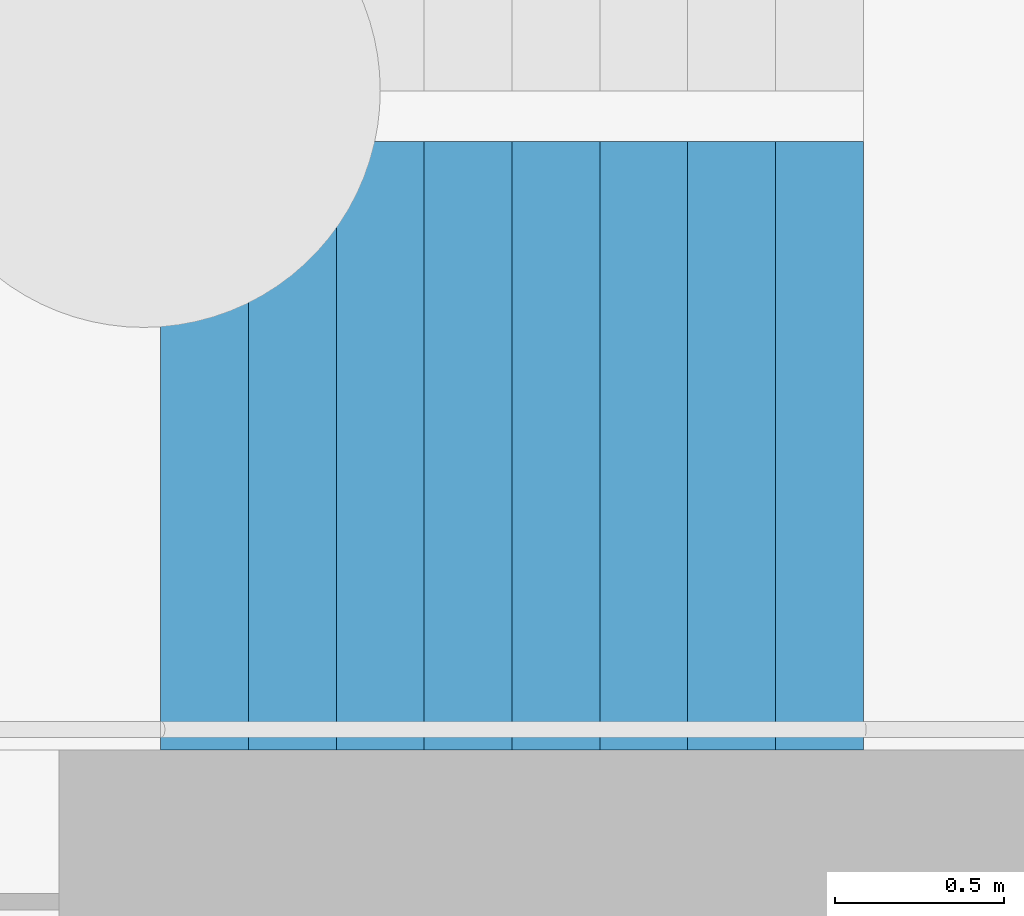
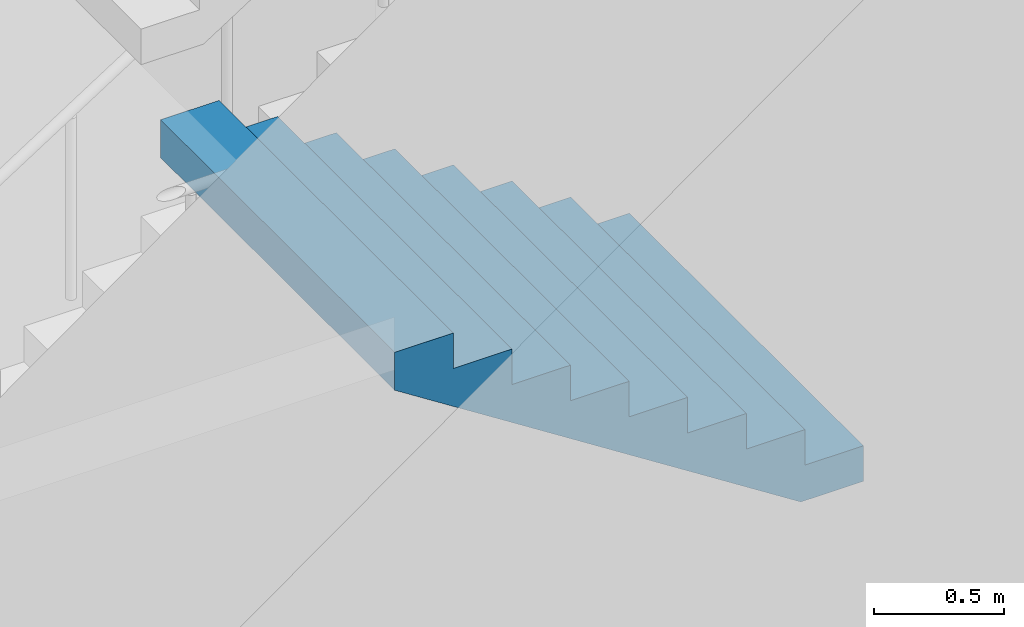
# One storey, part 69 of 113: 1 stair flight, 1 element without a shape of its own.
"""IFC4 building model written with IfcOpenShell, lengths in metres."""

from ifc_helpers import new_model, si_unit, direction, frame, origin, place, context, subcontext, project, spatial, triangles, material, type_object, element, aggregate, save


model = new_model("IFC4")

# Units and contexts
model_context = context("Model", 3, precision=1e-05, world=origin(), true_north=direction((0.0, 1.0)))
body_context = subcontext(model_context, "Body", "Model", "MODEL_VIEW")
ifc_project = project(units=[si_unit("LENGTHUNIT", "METRE"), si_unit("AREAUNIT", "SQUARE_METRE"), si_unit("VOLUMEUNIT", "CUBIC_METRE"), si_unit("PLANEANGLEUNIT", "RADIAN"), si_unit("MASSUNIT", "GRAM", prefix="KILO")], contexts=[model_context])

# Site, building, storey
site_placement = place(None, origin())
site = spatial("IfcSite", under=ifc_project, at=site_placement, CompositionType="ELEMENT")
building_placement = place(site_placement, origin())
building = spatial("IfcBuilding", under=site, at=building_placement, Name="Hakoniwa Tower and Hamabe Station Hall", CompositionType="ELEMENT")
storey_placement = place(building_placement, origin())
storey = spatial("IfcBuildingStorey", under=building, at=storey_placement, Name="L01", CompositionType="ELEMENT", Elevation=0.0)

# Stair, stair flight
ifc_material_1 = material(Name="Concrete C40", Category="concrete")
stair_type = type_object("IfcStairType", Name="ESCAPE STAIR 1800", PredefinedType="HALF_TURN_STAIR", material=ifc_material_1)
stair_placement = place(storey_placement, origin())
stair = element("IfcStair", 1, at=stair_placement, inside=storey, type_object=stair_type, Name="Escape stair ST-4 L01", PredefinedType="HALF_TURN_STAIR")
ifc_material_2 = material(Name="Concrete C40", Category="concrete")
stair_flight_type = type_object("IfcStairFlightType", Name="STAIR FLIGHT 1800", PredefinedType="STRAIGHT", material=ifc_material_2)
stair_flight_placement = place(storey_placement, frame((25.47998046875, -6.60009765625, 4.5), z_axis=(0.0, 0.0, 1.0), x_axis=(-1.0, 0.0, 0.0)))
stair_flight = element("IfcStairFlight", 2, at=stair_flight_placement, type_object=stair_flight_type, Name="ST-4 flight 4", NumberOfRisers=9, NumberOfTreads=8, PredefinedType="STRAIGHT", RiserHeight=0.166666667, TreadLength=0.26, context=body_context, shape_type="Tessellation", body=[
    triangles([(0.0, 0.89990234375, 0.0), (0.260009765625, 0.89990234375, 0.0), (0.27783203125, 0.89990234375, 0.0), (0.52001953125, 0.89990234375, 0.1552734375), (0.780029296875, 0.89990234375, 0.322021484375), (1.0400390625, 0.89990234375, 0.488525390625), (1.300048828125, 0.89990234375, 0.6552734375), (1.56005859375, 0.89990234375, 0.822021484375), (1.820068359375, 0.89990234375, 0.988525390625), (2.080078125, 0.89990234375, 1.1552734375), (2.080078125, 0.89990234375, 1.333251953125), (1.820068359375, 0.89990234375, 1.333251953125), (1.820068359375, 0.89990234375, 1.166748046875), (1.56005859375, 0.89990234375, 1.166748046875), (1.56005859375, 0.89990234375, 1.0), (1.300048828125, 0.89990234375, 1.0), (1.300048828125, 0.89990234375, 0.833251953125), (1.0400390625, 0.89990234375, 0.833251953125), (1.0400390625, 0.89990234375, 0.666748046875), (0.780029296875, 0.89990234375, 0.666748046875), (0.780029296875, 0.89990234375, 0.5), (0.52001953125, 0.89990234375, 0.5), (0.52001953125, 0.89990234375, 0.333251953125), (0.27783203125, 0.89990234375, 0.333251953125), (0.260009765625, 0.89990234375, 0.333251953125), (0.260009765625, 0.89990234375, 0.166748046875), (0.0, 0.89990234375, 0.166748046875), (0.0, 0.06005859375, 0.0), (0.260009765625, 0.06005859375, 0.0), (0.27783203125, 0.06005859375, 0.0), (0.52001953125, 0.06005859375, 0.1552734375), (0.780029296875, 0.06005859375, 0.322021484375), (1.0400390625, 0.06005859375, 0.488525390625), (1.300048828125, 0.06005859375, 0.6552734375), (1.56005859375, 0.06005859375, 0.822021484375), (1.820068359375, 0.06005859375, 0.988525390625), (2.080078125, 0.06005859375, 1.1552734375), (2.080078125, 0.06005859375, 1.333251953125), (1.820068359375, 0.06005859375, 1.333251953125), (1.820068359375, 0.06005859375, 1.166748046875), (1.56005859375, 0.06005859375, 1.166748046875), (1.56005859375, 0.06005859375, 1.0), (1.300048828125, 0.06005859375, 1.0), (1.300048828125, 0.06005859375, 0.833251953125), (1.0400390625, 0.06005859375, 0.833251953125), (1.0400390625, 0.06005859375, 0.666748046875), (0.780029296875, 0.06005859375, 0.666748046875), (0.780029296875, 0.06005859375, 0.5), (0.52001953125, 0.06005859375, 0.5), (0.52001953125, 0.06005859375, 0.333251953125), (0.27783203125, 0.06005859375, 0.333251953125), (0.260009765625, 0.06005859375, 0.333251953125), (0.260009765625, 0.06005859375, 0.166748046875), (0.0, 0.06005859375, 0.166748046875), (0.0, 0.04296875, 0.0), (0.260009765625, 0.04296875, 0.0), (0.27783203125, 0.04296875, 0.0), (0.52001953125, 0.04296875, 0.1552734375), (0.780029296875, 0.04296875, 0.322021484375), (1.0400390625, 0.04296875, 0.488525390625), (1.300048828125, 0.04296875, 0.6552734375), (1.56005859375, 0.04296875, 0.822021484375), (1.820068359375, 0.04296875, 0.988525390625), (2.080078125, 0.04296875, 1.1552734375), (2.080078125, 0.04296875, 1.333251953125), (1.820068359375, 0.04296875, 1.333251953125), (1.820068359375, 0.04296875, 1.166748046875), (1.56005859375, 0.04296875, 1.166748046875), (1.56005859375, 0.04296875, 1.0), (1.300048828125, 0.04296875, 1.0), (1.300048828125, 0.04296875, 0.833251953125), (1.0400390625, 0.04296875, 0.833251953125), (1.0400390625, 0.04296875, 0.666748046875), (0.780029296875, 0.04296875, 0.666748046875), (0.780029296875, 0.04296875, 0.5), (0.52001953125, 0.04296875, 0.5), (0.52001953125, 0.04296875, 0.333251953125), (0.27783203125, 0.04296875, 0.333251953125), (0.260009765625, 0.04296875, 0.333251953125), (0.260009765625, 0.04296875, 0.166748046875), (0.0, 0.04296875, 0.166748046875), (0.0, 0.025634765625, 0.0), (0.260009765625, 0.025634765625, 0.0), (0.27783203125, 0.025634765625, 0.0), (0.52001953125, 0.025634765625, 0.1552734375), (0.780029296875, 0.025634765625, 0.322021484375), (1.0400390625, 0.025634765625, 0.488525390625), (1.300048828125, 0.025634765625, 0.6552734375), (1.56005859375, 0.025634765625, 0.822021484375), (1.820068359375, 0.025634765625, 0.988525390625), (2.080078125, 0.025634765625, 1.1552734375), (2.080078125, 0.025634765625, 1.333251953125), (1.820068359375, 0.025634765625, 1.333251953125), (1.820068359375, 0.025634765625, 1.166748046875), (1.56005859375, 0.025634765625, 1.166748046875), (1.56005859375, 0.025634765625, 1.0), (1.300048828125, 0.025634765625, 1.0), (1.300048828125, 0.025634765625, 0.833251953125), (1.0400390625, 0.025634765625, 0.833251953125), (1.0400390625, 0.025634765625, 0.666748046875), (0.780029296875, 0.025634765625, 0.666748046875), (0.780029296875, 0.025634765625, 0.5), (0.52001953125, 0.025634765625, 0.5), (0.52001953125, 0.025634765625, 0.333251953125), (0.27783203125, 0.025634765625, 0.333251953125), (0.260009765625, 0.025634765625, 0.333251953125), (0.260009765625, 0.025634765625, 0.166748046875), (0.0, 0.025634765625, 0.166748046875), (0.0, 0.008544921875, 0.0), (0.260009765625, 0.008544921875, 0.0), (0.27783203125, 0.008544921875, 0.0), (0.52001953125, 0.008544921875, 0.1552734375), (0.780029296875, 0.008544921875, 0.322021484375), (1.0400390625, 0.008544921875, 0.488525390625), (1.300048828125, 0.008544921875, 0.6552734375), (1.56005859375, 0.008544921875, 0.822021484375), (1.820068359375, 0.008544921875, 0.988525390625), (2.080078125, 0.008544921875, 1.1552734375), (2.080078125, 0.008544921875, 1.333251953125), (1.820068359375, 0.008544921875, 1.333251953125), (1.820068359375, 0.008544921875, 1.166748046875), (1.56005859375, 0.008544921875, 1.166748046875), (1.56005859375, 0.008544921875, 1.0), (1.300048828125, 0.008544921875, 1.0), (1.300048828125, 0.008544921875, 0.833251953125), (1.0400390625, 0.008544921875, 0.833251953125), (1.0400390625, 0.008544921875, 0.666748046875), (0.780029296875, 0.008544921875, 0.666748046875), (0.780029296875, 0.008544921875, 0.5), (0.52001953125, 0.008544921875, 0.5), (0.52001953125, 0.008544921875, 0.333251953125), (0.27783203125, 0.008544921875, 0.333251953125), (0.260009765625, 0.008544921875, 0.333251953125), (0.260009765625, 0.008544921875, 0.166748046875), (0.0, 0.008544921875, 0.166748046875), (0.0, -0.008544921875, 0.0), (0.260009765625, -0.008544921875, 0.0), (0.27783203125, -0.008544921875, 0.0), (0.52001953125, -0.008544921875, 0.1552734375), (0.780029296875, -0.008544921875, 0.322021484375), (1.0400390625, -0.008544921875, 0.488525390625), (1.300048828125, -0.008544921875, 0.6552734375), (1.56005859375, -0.008544921875, 0.822021484375), (1.820068359375, -0.008544921875, 0.988525390625), (2.080078125, -0.008544921875, 1.1552734375), (2.080078125, -0.008544921875, 1.333251953125), (1.820068359375, -0.008544921875, 1.333251953125), (1.820068359375, -0.008544921875, 1.166748046875), (1.56005859375, -0.008544921875, 1.166748046875), (1.56005859375, -0.008544921875, 1.0), (1.300048828125, -0.008544921875, 1.0), (1.300048828125, -0.008544921875, 0.833251953125), (1.0400390625, -0.008544921875, 0.833251953125), (1.0400390625, -0.008544921875, 0.666748046875), (0.780029296875, -0.008544921875, 0.666748046875), (0.780029296875, -0.008544921875, 0.5), (0.52001953125, -0.008544921875, 0.5), (0.52001953125, -0.008544921875, 0.333251953125), (0.27783203125, -0.008544921875, 0.333251953125), (0.260009765625, -0.008544921875, 0.333251953125), (0.260009765625, -0.008544921875, 0.166748046875), (0.0, -0.008544921875, 0.166748046875), (0.0, -0.025634765625, 0.0), (0.260009765625, -0.025634765625, 0.0), (0.27783203125, -0.025634765625, 0.0), (0.52001953125, -0.025634765625, 0.1552734375), (0.780029296875, -0.025634765625, 0.322021484375), (1.0400390625, -0.025634765625, 0.488525390625), (1.300048828125, -0.025634765625, 0.6552734375), (1.56005859375, -0.025634765625, 0.822021484375), (1.820068359375, -0.025634765625, 0.988525390625), (2.080078125, -0.025634765625, 1.1552734375), (2.080078125, -0.025634765625, 1.333251953125), (1.820068359375, -0.025634765625, 1.333251953125), (1.820068359375, -0.025634765625, 1.166748046875), (1.56005859375, -0.025634765625, 1.166748046875), (1.56005859375, -0.025634765625, 1.0), (1.300048828125, -0.025634765625, 1.0), (1.300048828125, -0.025634765625, 0.833251953125), (1.0400390625, -0.025634765625, 0.833251953125), (1.0400390625, -0.025634765625, 0.666748046875), (0.780029296875, -0.025634765625, 0.666748046875), (0.780029296875, -0.025634765625, 0.5), (0.52001953125, -0.025634765625, 0.5), (0.52001953125, -0.025634765625, 0.333251953125), (0.27783203125, -0.025634765625, 0.333251953125), (0.260009765625, -0.025634765625, 0.333251953125), (0.260009765625, -0.025634765625, 0.166748046875), (0.0, -0.025634765625, 0.166748046875), (0.0, -0.04296875, 0.0), (0.260009765625, -0.04296875, 0.0), (0.27783203125, -0.04296875, 0.0), (0.52001953125, -0.04296875, 0.1552734375), (0.780029296875, -0.04296875, 0.322021484375), (1.0400390625, -0.04296875, 0.488525390625), (1.300048828125, -0.04296875, 0.6552734375), (1.56005859375, -0.04296875, 0.822021484375), (1.820068359375, -0.04296875, 0.988525390625), (2.080078125, -0.04296875, 1.1552734375), (2.080078125, -0.04296875, 1.333251953125), (1.820068359375, -0.04296875, 1.333251953125), (1.820068359375, -0.04296875, 1.166748046875), (1.56005859375, -0.04296875, 1.166748046875), (1.56005859375, -0.04296875, 1.0), (1.300048828125, -0.04296875, 1.0), (1.300048828125, -0.04296875, 0.833251953125), (1.0400390625, -0.04296875, 0.833251953125), (1.0400390625, -0.04296875, 0.666748046875), (0.780029296875, -0.04296875, 0.666748046875), (0.780029296875, -0.04296875, 0.5), (0.52001953125, -0.04296875, 0.5), (0.52001953125, -0.04296875, 0.333251953125), (0.27783203125, -0.04296875, 0.333251953125), (0.260009765625, -0.04296875, 0.333251953125), (0.260009765625, -0.04296875, 0.166748046875), (0.0, -0.04296875, 0.166748046875), (0.0, -0.06005859375, 0.0), (0.260009765625, -0.06005859375, 0.0), (0.27783203125, -0.06005859375, 0.0), (0.52001953125, -0.06005859375, 0.1552734375), (0.780029296875, -0.06005859375, 0.322021484375), (1.0400390625, -0.06005859375, 0.488525390625), (1.300048828125, -0.06005859375, 0.6552734375), (1.56005859375, -0.06005859375, 0.822021484375), (1.820068359375, -0.06005859375, 0.988525390625), (2.080078125, -0.06005859375, 1.1552734375), (2.080078125, -0.06005859375, 1.333251953125), (1.820068359375, -0.06005859375, 1.333251953125), (1.820068359375, -0.06005859375, 1.166748046875), (1.56005859375, -0.06005859375, 1.166748046875), (1.56005859375, -0.06005859375, 1.0), (1.300048828125, -0.06005859375, 1.0), (1.300048828125, -0.06005859375, 0.833251953125), (1.0400390625, -0.06005859375, 0.833251953125), (1.0400390625, -0.06005859375, 0.666748046875), (0.780029296875, -0.06005859375, 0.666748046875), (0.780029296875, -0.06005859375, 0.5), (0.52001953125, -0.06005859375, 0.5), (0.52001953125, -0.06005859375, 0.333251953125), (0.27783203125, -0.06005859375, 0.333251953125), (0.260009765625, -0.06005859375, 0.333251953125), (0.260009765625, -0.06005859375, 0.166748046875), (0.0, -0.06005859375, 0.166748046875), (0.0, -0.89990234375, 0.0), (0.260009765625, -0.89990234375, 0.0), (0.27783203125, -0.89990234375, 0.0), (0.52001953125, -0.89990234375, 0.1552734375), (0.780029296875, -0.89990234375, 0.322021484375), (1.0400390625, -0.89990234375, 0.488525390625), (1.300048828125, -0.89990234375, 0.6552734375), (1.56005859375, -0.89990234375, 0.822021484375), (1.820068359375, -0.89990234375, 0.988525390625), (2.080078125, -0.89990234375, 1.1552734375), (2.080078125, -0.89990234375, 1.333251953125), (1.820068359375, -0.89990234375, 1.333251953125), (1.820068359375, -0.89990234375, 1.166748046875), (1.56005859375, -0.89990234375, 1.166748046875), (1.56005859375, -0.89990234375, 1.0), (1.300048828125, -0.89990234375, 1.0), (1.300048828125, -0.89990234375, 0.833251953125), (1.0400390625, -0.89990234375, 0.833251953125), (1.0400390625, -0.89990234375, 0.666748046875), (0.780029296875, -0.89990234375, 0.666748046875), (0.780029296875, -0.89990234375, 0.5), (0.52001953125, -0.89990234375, 0.5), (0.52001953125, -0.89990234375, 0.333251953125), (0.27783203125, -0.89990234375, 0.333251953125), (0.260009765625, -0.89990234375, 0.333251953125), (0.260009765625, -0.89990234375, 0.166748046875), (0.0, -0.89990234375, 0.166748046875)], [[2, 27, 26], [245, 269, 270], [2, 1, 27], [245, 270, 244], [3, 25, 24], [246, 267, 268], [3, 26, 25], [246, 268, 269], [3, 2, 26], [246, 269, 245], [4, 24, 23], [247, 266, 267], [4, 3, 24], [247, 267, 246], [5, 22, 21], [248, 264, 265], [5, 23, 22], [248, 265, 266], [5, 4, 23], [248, 266, 247], [6, 20, 19], [249, 262, 263], [6, 21, 20], [249, 263, 264], [6, 5, 21], [249, 264, 248], [7, 18, 17], [250, 260, 261], [7, 19, 18], [250, 261, 262], [7, 6, 19], [250, 262, 249], [8, 16, 15], [251, 258, 259], [8, 17, 16], [251, 259, 260], [8, 7, 17], [251, 260, 250], [9, 14, 13], [252, 256, 257], [9, 15, 14], [252, 257, 258], [9, 8, 15], [252, 258, 251], [10, 12, 11], [253, 254, 255], [10, 13, 12], [253, 255, 256], [10, 9, 13], [253, 256, 252], [1, 2, 29], [1, 29, 28], [28, 29, 56], [28, 56, 55], [55, 56, 83], [55, 83, 82], [82, 83, 110], [82, 110, 109], [109, 110, 137], [109, 137, 136], [136, 137, 164], [136, 164, 163], [163, 164, 191], [163, 191, 190], [190, 191, 218], [190, 218, 217], [217, 218, 245], [217, 245, 244], [2, 3, 30], [2, 30, 29], [29, 30, 57], [29, 57, 56], [56, 57, 84], [56, 84, 83], [83, 84, 111], [83, 111, 110], [110, 111, 138], [110, 138, 137], [137, 138, 165], [137, 165, 164], [164, 165, 192], [164, 192, 191], [191, 192, 219], [191, 219, 218], [218, 219, 246], [218, 246, 245], [3, 4, 31], [3, 31, 30], [30, 31, 58], [30, 58, 57], [57, 58, 85], [57, 85, 84], [84, 85, 112], [84, 112, 111], [111, 112, 139], [111, 139, 138], [138, 139, 166], [138, 166, 165], [165, 166, 193], [165, 193, 192], [192, 193, 220], [192, 220, 219], [219, 220, 247], [219, 247, 246], [4, 5, 32], [4, 32, 31], [31, 32, 59], [31, 59, 58], [58, 59, 86], [58, 86, 85], [85, 86, 113], [85, 113, 112], [112, 113, 140], [112, 140, 139], [139, 140, 167], [139, 167, 166], [166, 167, 194], [166, 194, 193], [193, 194, 221], [193, 221, 220], [220, 221, 248], [220, 248, 247], [5, 6, 33], [5, 33, 32], [32, 33, 60], [32, 60, 59], [59, 60, 87], [59, 87, 86], [86, 87, 114], [86, 114, 113], [113, 114, 141], [113, 141, 140], [140, 141, 168], [140, 168, 167], [167, 168, 195], [167, 195, 194], [194, 195, 222], [194, 222, 221], [221, 222, 249], [221, 249, 248], [6, 7, 34], [6, 34, 33], [33, 34, 61], [33, 61, 60], [60, 61, 88], [60, 88, 87], [87, 88, 115], [87, 115, 114], [114, 115, 142], [114, 142, 141], [141, 142, 169], [141, 169, 168], [168, 169, 196], [168, 196, 195], [195, 196, 223], [195, 223, 222], [222, 223, 250], [222, 250, 249], [7, 8, 35], [7, 35, 34], [34, 35, 62], [34, 62, 61], [61, 62, 89], [61, 89, 88], [88, 89, 116], [88, 116, 115], [115, 116, 143], [115, 143, 142], [142, 143, 170], [142, 170, 169], [169, 170, 197], [169, 197, 196], [196, 197, 224], [196, 224, 223], [223, 224, 251], [223, 251, 250], [8, 9, 36], [8, 36, 35], [35, 36, 63], [35, 63, 62], [62, 63, 90], [62, 90, 89], [89, 90, 117], [89, 117, 116], [116, 117, 144], [116, 144, 143], [143, 144, 171], [143, 171, 170], [170, 171, 198], [170, 198, 197], [197, 198, 225], [197, 225, 224], [224, 225, 252], [224, 252, 251], [9, 10, 37], [9, 37, 36], [36, 37, 64], [36, 64, 63], [63, 64, 91], [63, 91, 90], [90, 91, 118], [90, 118, 117], [117, 118, 145], [117, 145, 144], [144, 145, 172], [144, 172, 171], [171, 172, 199], [171, 199, 198], [198, 199, 226], [198, 226, 225], [225, 226, 253], [225, 253, 252], [10, 11, 38], [10, 38, 37], [37, 38, 65], [37, 65, 64], [64, 65, 92], [64, 92, 91], [91, 92, 119], [91, 119, 118], [118, 119, 146], [118, 146, 145], [145, 146, 173], [145, 173, 172], [172, 173, 200], [172, 200, 199], [199, 200, 227], [199, 227, 226], [226, 227, 254], [226, 254, 253], [11, 12, 39], [11, 39, 38], [38, 39, 66], [38, 66, 65], [65, 66, 93], [65, 93, 92], [92, 93, 120], [92, 120, 119], [119, 120, 147], [119, 147, 146], [146, 147, 174], [146, 174, 173], [173, 174, 201], [173, 201, 200], [200, 201, 228], [200, 228, 227], [227, 228, 255], [227, 255, 254], [12, 13, 40], [12, 40, 39], [39, 40, 67], [39, 67, 66], [66, 67, 94], [66, 94, 93], [93, 94, 121], [93, 121, 120], [120, 121, 148], [120, 148, 147], [147, 148, 175], [147, 175, 174], [174, 175, 202], [174, 202, 201], [201, 202, 229], [201, 229, 228], [228, 229, 256], [228, 256, 255], [13, 14, 41], [13, 41, 40], [40, 41, 68], [40, 68, 67], [67, 68, 95], [67, 95, 94], [94, 95, 122], [94, 122, 121], [121, 122, 149], [121, 149, 148], [148, 149, 176], [148, 176, 175], [175, 176, 203], [175, 203, 202], [202, 203, 230], [202, 230, 229], [229, 230, 257], [229, 257, 256], [14, 15, 42], [14, 42, 41], [41, 42, 69], [41, 69, 68], [68, 69, 96], [68, 96, 95], [95, 96, 123], [95, 123, 122], [122, 123, 150], [122, 150, 149], [149, 150, 177], [149, 177, 176], [176, 177, 204], [176, 204, 203], [203, 204, 231], [203, 231, 230], [230, 231, 258], [230, 258, 257], [15, 16, 43], [15, 43, 42], [42, 43, 70], [42, 70, 69], [69, 70, 97], [69, 97, 96], [96, 97, 124], [96, 124, 123], [123, 124, 151], [123, 151, 150], [150, 151, 178], [150, 178, 177], [177, 178, 205], [177, 205, 204], [204, 205, 232], [204, 232, 231], [231, 232, 259], [231, 259, 258], [16, 17, 44], [16, 44, 43], [43, 44, 71], [43, 71, 70], [70, 71, 98], [70, 98, 97], [97, 98, 125], [97, 125, 124], [124, 125, 152], [124, 152, 151], [151, 152, 179], [151, 179, 178], [178, 179, 206], [178, 206, 205], [205, 206, 233], [205, 233, 232], [232, 233, 260], [232, 260, 259], [17, 18, 45], [17, 45, 44], [44, 45, 72], [44, 72, 71], [71, 72, 99], [71, 99, 98], [98, 99, 126], [98, 126, 125], [125, 126, 153], [125, 153, 152], [152, 153, 180], [152, 180, 179], [179, 180, 207], [179, 207, 206], [206, 207, 234], [206, 234, 233], [233, 234, 261], [233, 261, 260], [18, 19, 46], [18, 46, 45], [45, 46, 73], [45, 73, 72], [72, 73, 100], [72, 100, 99], [99, 100, 127], [99, 127, 126], [126, 127, 154], [126, 154, 153], [153, 154, 181], [153, 181, 180], [180, 181, 208], [180, 208, 207], [207, 208, 235], [207, 235, 234], [234, 235, 262], [234, 262, 261], [19, 20, 47], [19, 47, 46], [46, 47, 74], [46, 74, 73], [73, 74, 101], [73, 101, 100], [100, 101, 128], [100, 128, 127], [127, 128, 155], [127, 155, 154], [154, 155, 182], [154, 182, 181], [181, 182, 209], [181, 209, 208], [208, 209, 236], [208, 236, 235], [235, 236, 263], [235, 263, 262], [20, 21, 48], [20, 48, 47], [47, 48, 75], [47, 75, 74], [74, 75, 102], [74, 102, 101], [101, 102, 129], [101, 129, 128], [128, 129, 156], [128, 156, 155], [155, 156, 183], [155, 183, 182], [182, 183, 210], [182, 210, 209], [209, 210, 237], [209, 237, 236], [236, 237, 264], [236, 264, 263], [21, 22, 49], [21, 49, 48], [48, 49, 76], [48, 76, 75], [75, 76, 103], [75, 103, 102], [102, 103, 130], [102, 130, 129], [129, 130, 157], [129, 157, 156], [156, 157, 184], [156, 184, 183], [183, 184, 211], [183, 211, 210], [210, 211, 238], [210, 238, 237], [237, 238, 265], [237, 265, 264], [22, 23, 50], [22, 50, 49], [49, 50, 77], [49, 77, 76], [76, 77, 104], [76, 104, 103], [103, 104, 131], [103, 131, 130], [130, 131, 158], [130, 158, 157], [157, 158, 185], [157, 185, 184], [184, 185, 212], [184, 212, 211], [211, 212, 239], [211, 239, 238], [238, 239, 266], [238, 266, 265], [23, 24, 51], [23, 51, 50], [50, 51, 78], [50, 78, 77], [77, 78, 105], [77, 105, 104], [104, 105, 132], [104, 132, 131], [131, 132, 159], [131, 159, 158], [158, 159, 186], [158, 186, 185], [185, 186, 213], [185, 213, 212], [212, 213, 240], [212, 240, 239], [239, 240, 267], [239, 267, 266], [24, 25, 52], [24, 52, 51], [51, 52, 79], [51, 79, 78], [78, 79, 106], [78, 106, 105], [105, 106, 133], [105, 133, 132], [132, 133, 160], [132, 160, 159], [159, 160, 187], [159, 187, 186], [186, 187, 214], [186, 214, 213], [213, 214, 241], [213, 241, 240], [240, 241, 268], [240, 268, 267], [25, 26, 53], [25, 53, 52], [52, 53, 80], [52, 80, 79], [79, 80, 107], [79, 107, 106], [106, 107, 134], [106, 134, 133], [133, 134, 161], [133, 161, 160], [160, 161, 188], [160, 188, 187], [187, 188, 215], [187, 215, 214], [214, 215, 242], [214, 242, 241], [241, 242, 269], [241, 269, 268], [26, 27, 54], [26, 54, 53], [53, 54, 81], [53, 81, 80], [80, 81, 108], [80, 108, 107], [107, 108, 135], [107, 135, 134], [134, 135, 162], [134, 162, 161], [161, 162, 189], [161, 189, 188], [188, 189, 216], [188, 216, 215], [215, 216, 243], [215, 243, 242], [242, 243, 270], [242, 270, 269], [27, 1, 28], [27, 28, 54], [54, 28, 55], [54, 55, 81], [81, 55, 82], [81, 82, 108], [108, 82, 109], [108, 109, 135], [135, 109, 136], [135, 136, 162], [162, 136, 163], [162, 163, 189], [189, 163, 190], [189, 190, 216], [216, 190, 217], [216, 217, 243], [243, 217, 244], [243, 244, 270]], closed=True),
])
aggregate(stair, [stair_flight])

save(model, "model.ifc")
